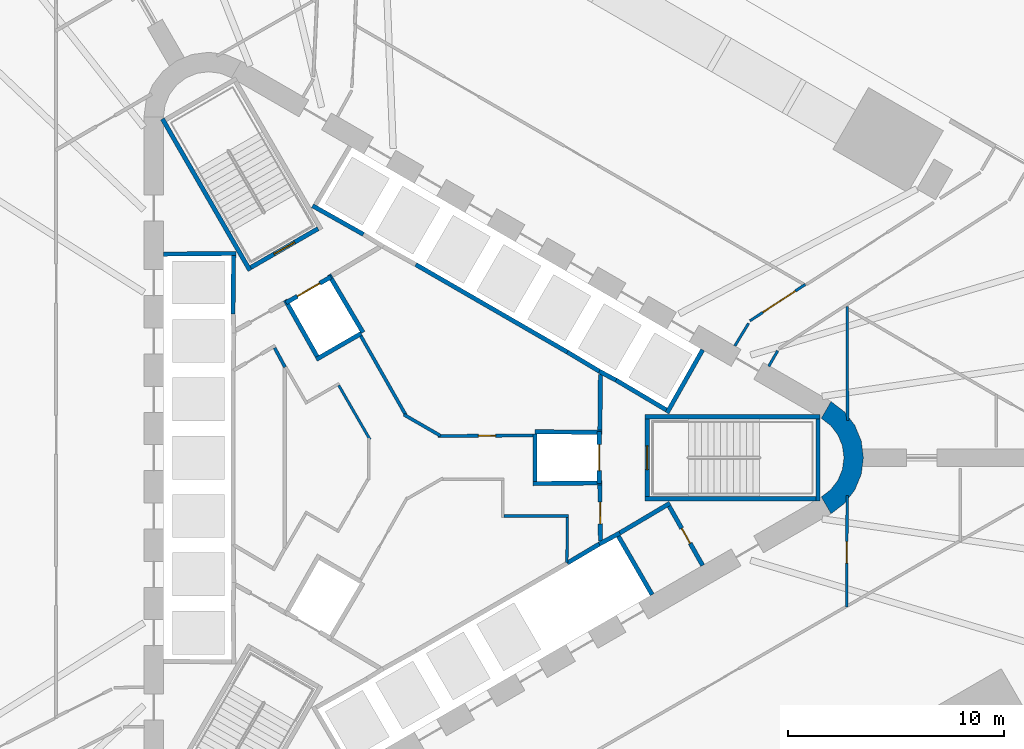
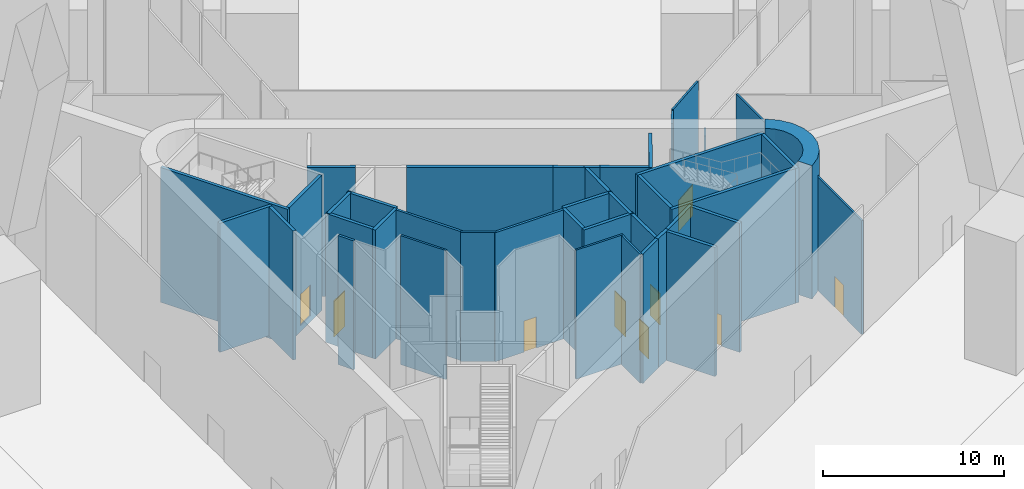
# One storey, part 16 of 22: 42 walls, 9 doors, 9 openings.
"""IFC4 building model written with IfcOpenShell, lengths in metres."""

from ifc_helpers import new_model, si_unit, direction, frame, frame_2d, origin, place, context, subcontext, project, spatial, polyline, rectangle, outline, extrude, material, layer, layer_set, type_object, element, fill, save


model = new_model("IFC4")

# Units and contexts
model_context = context("Model", 3, precision=1e-05, world=origin(), true_north=direction((0.0, 1.0)))
body_context = subcontext(model_context, "Body", "Model", "MODEL_VIEW")
ifc_project = project(units=[si_unit("LENGTHUNIT", "METRE"), si_unit("AREAUNIT", "SQUARE_METRE"), si_unit("VOLUMEUNIT", "CUBIC_METRE"), si_unit("PLANEANGLEUNIT", "RADIAN"), si_unit("MASSUNIT", "GRAM", prefix="KILO")], contexts=[model_context])

# Site, building, storey
site_placement = place(None, origin())
site = spatial("IfcSite", under=ifc_project, at=site_placement, CompositionType="ELEMENT")
building_placement = place(site_placement, origin())
building = spatial("IfcBuilding", under=site, at=building_placement, Name="Tanit Gate Tower", CompositionType="ELEMENT")
storey_placement = place(building_placement, origin())
storey = spatial("IfcBuildingStorey", under=building, at=storey_placement, Name="L00", CompositionType="ELEMENT", Elevation=0.0)

# Walls
ifc_material_1 = material(Name="Concrete C60/75", Category="concrete")
ifc_layer_1 = layer(ifc_material_1, 0.89990234375)
ifc_layer_set_1 = layer_set([ifc_layer_1], Name="CORE WALL 900 C60/75")
wall_type_1 = type_object("IfcWallType", Name="CORE WALL 900 C60/75", PredefinedType="SHEAR", material=ifc_layer_set_1)
wall_1_placement = place(storey_placement, origin())
element("IfcWall", 1, at=wall_1_placement, inside=storey, type_object=wall_type_1, Name="CORE WALL CORNER", PredefinedType="SHEAR", context=body_context, shape_type="SweptSolid", body=[
    extrude(outline(polyline([(19.699951171875, -2.59814453125), (20.3212890625, -2.121337890625), (20.798095703125, -1.5), (21.097900390625, -0.776611328125), (21.199951171875, 0.0), (21.097900390625, 0.776611328125), (20.798095703125, 1.5), (20.3212890625, 2.121337890625), (19.699951171875, 2.59814453125), (19.25, 1.818603515625), (19.684814453125, 1.48486328125), (20.018798828125, 1.050048828125), (20.228515625, 0.54345703125), (20.300048828125, 0.0), (20.228515625, -0.54345703125), (20.018798828125, -1.050048828125), (19.684814453125, -1.48486328125), (19.25, -1.818603515625), (19.699951171875, -2.59814453125)])), origin(), (0.0, 0.0, 1.0), 9.0),
])
ifc_material_2 = material(Name="Fire-rated gypsum board partition")
ifc_layer_2 = layer(ifc_material_2, 0.199951171875)
ifc_layer_set_2 = layer_set([ifc_layer_2], Name="INT-WALL-COMPARTMENT")
wall_type_2 = type_object("IfcWallType", Name="INT-WALL-COMPARTMENT", PredefinedType="PARTITIONING", material=ifc_layer_set_2)
wall_2_placement = place(storey_placement, frame((12.244873046875, -2.10888671875, 0.0), z_axis=(0.0, 0.0, 1.0), x_axis=(-0.860414880418, -0.509594185166, 0.0)))
element("IfcWall", 2, at=wall_2_placement, inside=storey, type_object=wall_type_2, Name="Wall Compartment W057", PredefinedType="PARTITIONING", context=body_context, shape_type="SweptSolid", body=[
    extrude(rectangle(XDim=2.7001953125, YDim=0.199951171875, at=frame_2d((1.35009765625, 0.0))), origin(), (0.0, 0.0, 1.0), 8.699951171875),
])

# Wall, opening, door
wall_3_placement = place(storey_placement, frame((13.758056640625, -4.989501953125, 0.0), z_axis=(0.0, 0.0, 1.0), x_axis=(-0.491993409184, 0.87059892334, 0.0)))
wall_3 = element("IfcWall", 3, at=wall_3_placement, inside=storey, type_object=wall_type_2, Name="Wall Compartment W058", PredefinedType="PARTITIONING", context=body_context, shape_type="SweptSolid", body=[
    extrude(rectangle(XDim=3.150146484375, YDim=0.199951171875, at=frame_2d((1.5751953125, 0.0))), origin(), (0.0, 0.0, 1.0), 8.699951171875),
])
opening_1_placement = place(wall_3_placement, frame((1.175048828125, 0.0, 0.0)))
opening_1 = element("IfcOpeningElement", 4, at=opening_1_placement, cuts=wall_3, Name="Opening R08-00-14", PredefinedType="OPENING", context=body_context, shape_type="SweptSolid", body=[
    extrude(rectangle(XDim=0.800048828125, YDim=2.10009765625, at=frame_2d((0.39990234375, 1.050048828125))), frame((0.0, 0.10986328125, 0.0), z_axis=(0.0, -1.0, 0.0), x_axis=(1.0, 0.0, 0.0)), (0.0, 0.0, 1.0), 0.219970703125),
])
ifc_material_3 = material(Name="Timber door leaf", Category="wood")
door_type_1 = type_object("IfcDoorType", Name="INT-DOOR-RISER-800", OperationType="NOTDEFINED", PredefinedType="USERDEFINED", material=ifc_material_3)
door_1_placement = place(opening_1_placement, origin())
door_1 = element("IfcDoor", 5, at=door_1_placement, inside=storey, type_object=door_type_1, Name="Door R08-00-14", ObjectType="FIRE DOOR", OperationType="SINGLE_SWING_RIGHT", OverallHeight=2.10009765625, OverallWidth=0.800048828125, PredefinedType="USERDEFINED", context=body_context, shape_type="SweptSolid", body=[
    extrude(rectangle(XDim=0.800048828125, YDim=2.10009765625, at=frame_2d((0.39990234375, 1.050048828125))), frame((0.0, 0.02490234375, 0.0), z_axis=(0.0, -1.0, 0.0), x_axis=(1.0, 0.0, 0.0)), (0.0, 0.0, 1.0), 0.050048828125),
])
fill(opening_1, door_1)

# Wall
wall_4_placement = place(storey_placement, frame((9.0009765625, 1.27001953125, 0.0), z_axis=(0.0, 0.0, 1.0), x_axis=(0.010784614026, 0.999941844359, 0.0)))
element("IfcWall", 6, at=wall_4_placement, inside=storey, type_object=wall_type_2, Name="Wall Compartment W059", PredefinedType="PARTITIONING", context=body_context, shape_type="SweptSolid", body=[
    extrude(rectangle(XDim=2.580810546875, YDim=0.199951171875, at=frame_2d((1.29052734375, 0.0))), origin(), (0.0, 0.0, 1.0), 8.699951171875),
])

# Wall, opening, door
wall_5_placement = place(storey_placement, frame((9.02880859375, -3.850830078125, 0.0), z_axis=(0.0, 0.0, 1.0), x_axis=(-0.010783593937, 0.99994185536, 0.0)))
wall_5 = element("IfcWall", 7, at=wall_5_placement, inside=storey, type_object=wall_type_2, Name="Wall Compartment W060", PredefinedType="PARTITIONING", context=body_context, shape_type="SweptSolid", body=[
    extrude(rectangle(XDim=2.5810546875, YDim=0.199951171875, at=frame_2d((1.29052734375, 0.0))), origin(), (0.0, 0.0, 1.0), 8.699951171875),
])
opening_2_placement = place(wall_5_placement, frame((0.79052734375, 0.0, 0.0)))
opening_2 = element("IfcOpeningElement", 8, at=opening_2_placement, cuts=wall_5, Name="Opening F10-00-02", PredefinedType="OPENING", context=body_context, shape_type="SweptSolid", body=[
    extrude(rectangle(XDim=1.0, YDim=2.10009765625, at=frame_2d((0.5, 1.050048828125))), frame((0.0, 0.10986328125, 0.0), z_axis=(0.0, -1.0, 0.0), x_axis=(1.0, 0.0, 0.0)), (0.0, 0.0, 1.0), 0.219970703125),
])
ifc_material_4 = material(Name="Fire-rated steel door leaf", Category="steel")
door_type_2 = type_object("IfcDoorType", Name="INT-DOOR-FIRE-1000", OperationType="NOTDEFINED", PredefinedType="USERDEFINED", material=ifc_material_4)
door_2_placement = place(opening_2_placement, origin())
door_2 = element("IfcDoor", 9, at=door_2_placement, inside=storey, type_object=door_type_2, Name="Door F10-00-02", ObjectType="FIRE DOOR", OperationType="SINGLE_SWING_RIGHT", OverallHeight=2.10009765625, OverallWidth=1.0, PredefinedType="USERDEFINED", context=body_context, shape_type="SweptSolid", body=[
    extrude(rectangle(XDim=1.0, YDim=2.10009765625, at=frame_2d((0.5, 1.050048828125))), frame((0.0, 0.02490234375, 0.0), z_axis=(0.0, -1.0, 0.0), x_axis=(1.0, 0.0, 0.0)), (0.0, 0.0, 1.0), 0.050048828125),
])
fill(opening_2, door_2)

# Walls
ifc_material_5 = material(Name="Gypsum board partition")
ifc_layer_3 = layer(ifc_material_5, 0.1201171875)
ifc_layer_set_3 = layer_set([ifc_layer_3], Name="INT-WALL-PARTITION")
wall_type_3 = type_object("IfcWallType", Name="INT-WALL-PARTITION", PredefinedType="PARTITIONING", material=ifc_layer_set_3)
wall_6_placement = place(storey_placement, frame((7.56005859375, -2.699951171875, 0.0), z_axis=(0.0, 0.0, 1.0), x_axis=(-1.0, 0.0, 0.0)))
element("IfcWall", 10, at=wall_6_placement, inside=storey, type_object=wall_type_3, Name="Wall Partition W072", PredefinedType="PARTITIONING", context=body_context, shape_type="SweptSolid", body=[
    extrude(rectangle(XDim=3.0, YDim=0.1201171875, at=frame_2d((1.5, 0.0))), origin(), (0.0, 0.0, 1.0), 8.699951171875),
])
wall_7_placement = place(storey_placement, frame((7.474609375, -4.864501953125, 0.0), z_axis=(0.0, 0.0, 1.0), x_axis=(0.011716133148, 0.999931363757, 0.0)))
element("IfcWall", 11, at=wall_7_placement, inside=storey, type_object=wall_type_3, Name="Wall Partition W073", PredefinedType="PARTITIONING", context=body_context, shape_type="SweptSolid", body=[
    extrude(rectangle(XDim=2.104736328125, YDim=0.1201171875, at=frame_2d((1.05224609375, 0.0))), origin(), (0.0, 0.0, 1.0), 8.699951171875),
])
wall_8_placement = place(storey_placement, frame((-1.63671875, 0.8349609375, 0.0), z_axis=(0.0, 0.0, 1.0), x_axis=(-0.499980071345, 0.866036909293, 0.0)))
element("IfcWall", 12, at=wall_8_placement, inside=storey, type_object=wall_type_3, Name="Wall Partition W081", PredefinedType="PARTITIONING", context=body_context, shape_type="SweptSolid", body=[
    extrude(rectangle(XDim=2.8984375, YDim=0.1201171875, at=frame_2d((1.44921875, 0.0))), origin(), (0.0, 0.0, 1.0), 8.699951171875),
])

# Wall, opening, door
wall_9_placement = place(storey_placement, frame((15.94580078125, 6.3310546875, 0.0), z_axis=(0.0, 0.0, 1.0), x_axis=(0.835422846106, 0.549607740306, 0.0)))
wall_9 = element("IfcWall", 13, at=wall_9_placement, inside=storey, type_object=wall_type_3, Name="Wall Partition W086", PredefinedType="PARTITIONING", context=body_context, shape_type="SweptSolid", body=[
    extrude(rectangle(XDim=3.07080078125, YDim=0.1201171875, at=frame_2d((1.535400390625, 0.0))), origin(), (0.0, 0.0, 1.0), 8.699951171875),
])
opening_3_placement = place(wall_9_placement, frame((0.71337890625, 0.0, 0.0)))
opening_3 = element("IfcOpeningElement", 14, at=opening_3_placement, cuts=wall_9, Name="Opening D18-00-17", PredefinedType="OPENING", context=body_context, shape_type="SweptSolid", body=[
    extrude(rectangle(XDim=1.800048828125, YDim=2.10009765625, at=frame_2d((0.89990234375, 1.050048828125))), frame((0.0, 0.070068359375, 0.0), z_axis=(0.0, -1.0, 0.0), x_axis=(1.0, 0.0, 0.0)), (0.0, 0.0, 1.0), 0.14013671875),
])
ifc_material_6 = material(Name="Timber door leaf", Category="wood")
door_type_3 = type_object("IfcDoorType", Name="INT-DOOR-PAIR-1800", OperationType="NOTDEFINED", PredefinedType="NOTDEFINED", material=ifc_material_6)
door_3_placement = place(opening_3_placement, origin())
door_3 = element("IfcDoor", 15, at=door_3_placement, inside=storey, type_object=door_type_3, Name="Door D18-00-17", OperationType="DOUBLE_DOOR_SINGLE_SWING", OverallHeight=2.10009765625, OverallWidth=1.800048828125, PredefinedType="NOTDEFINED", context=body_context, shape_type="SweptSolid", body=[
    extrude(rectangle(XDim=1.800048828125, YDim=2.10009765625, at=frame_2d((0.89990234375, 1.050048828125))), frame((0.0, 0.02490234375, 0.0), z_axis=(0.0, -1.0, 0.0), x_axis=(1.0, 0.0, 0.0)), (0.0, 0.0, 1.0), 0.050048828125),
])
fill(opening_3, door_3)

# Wall
wall_10_placement = place(storey_placement, frame((15.2470703125, 5.1689453125, 0.0), z_axis=(0.0, 0.0, 1.0), x_axis=(0.51893145636, 0.85481585362, 0.0)))
element("IfcWall", 16, at=wall_10_placement, inside=storey, type_object=wall_type_3, Name="Wall Partition W087", PredefinedType="PARTITIONING", context=body_context, shape_type="SweptSolid", body=[
    extrude(rectangle(XDim=1.228271484375, YDim=0.1201171875, at=frame_2d((0.6142578125, 0.0))), origin(), (0.0, 0.0, 1.0), 8.699951171875),
])

# Wall, opening, door
wall_11_placement = place(storey_placement, frame((20.420166015625, -6.91650390625, 0.0), z_axis=(0.0, 0.0, 1.0), x_axis=(0.005057124102, 0.999987212666, 0.0)))
wall_11 = element("IfcWall", 17, at=wall_11_placement, inside=storey, type_object=wall_type_3, Name="Wall Partition W091", PredefinedType="PARTITIONING", context=body_context, shape_type="SweptSolid", body=[
    extrude(rectangle(XDim=5.16552734375, YDim=0.1201171875, at=frame_2d((2.582763671875, 0.0))), origin(), (0.0, 0.0, 1.0), 7.669921875),
])
opening_4_placement = place(wall_11_placement, frame((2.032470703125, 0.0, 0.0)))
opening_4 = element("IfcOpeningElement", 18, at=opening_4_placement, cuts=wall_11, Name="Opening D10-00-33", PredefinedType="OPENING", context=body_context, shape_type="SweptSolid", body=[
    extrude(rectangle(XDim=1.0, YDim=2.10009765625, at=frame_2d((0.5, 1.050048828125))), frame((0.0, 0.070068359375, 0.0), z_axis=(0.0, -1.0, 0.0), x_axis=(1.0, 0.0, 0.0)), (0.0, 0.0, 1.0), 0.14013671875),
])
ifc_material_7 = material(Name="Timber door leaf", Category="wood")
door_type_4 = type_object("IfcDoorType", Name="INT-DOOR-SINGLE-1000", OperationType="NOTDEFINED", PredefinedType="NOTDEFINED", material=ifc_material_7)
door_4_placement = place(opening_4_placement, origin())
door_4 = element("IfcDoor", 19, at=door_4_placement, inside=storey, type_object=door_type_4, Name="Door D10-00-33", OperationType="SINGLE_SWING_LEFT", OverallHeight=2.10009765625, OverallWidth=1.0, PredefinedType="NOTDEFINED", context=body_context, shape_type="SweptSolid", body=[
    extrude(rectangle(XDim=1.0, YDim=2.10009765625, at=frame_2d((0.5, 1.050048828125))), frame((0.0, 0.02490234375, 0.0), z_axis=(0.0, -1.0, 0.0), x_axis=(1.0, 0.0, 0.0)), (0.0, 0.0, 1.0), 0.050048828125),
])
fill(opening_4, door_4)

# Walls
wall_12_placement = place(storey_placement, frame((20.44580078125, 7.00634765625, 0.0), z_axis=(0.0, 0.0, 1.0), x_axis=(0.003746504696, -0.999992981827, 0.0)))
element("IfcWall", 20, at=wall_12_placement, inside=storey, type_object=wall_type_3, Name="Wall Partition W102", PredefinedType="PARTITIONING", context=body_context, shape_type="SweptSolid", body=[
    extrude(rectangle(XDim=5.2783203125, YDim=0.1201171875, at=frame_2d((2.63916015625, 0.0))), origin(), (0.0, 0.0, 1.0), 7.780029296875),
])
wall_13_placement = place(storey_placement, frame((17.232421875, 4.947509765625, 0.0), z_axis=(0.0, 0.0, 1.0), x_axis=(-0.500120931396, -0.865955572752, 0.0)))
element("IfcWall", 21, at=wall_13_placement, inside=storey, type_object=wall_type_3, Name="Wall Partition W124", PredefinedType="PARTITIONING", context=body_context, shape_type="SweptSolid", body=[
    extrude(rectangle(XDim=0.830810546875, YDim=0.1201171875, at=frame_2d((0.41552734375, 0.0))), origin(), (0.0, 0.0, 1.0), 7.8798828125),
])

# Wall, opening, door
ifc_material_8 = material(Name="Fire-rated gypsum board partition")
ifc_layer_4 = layer(ifc_material_8, 0.14990234375)
ifc_layer_set_4 = layer_set([ifc_layer_4], Name="INT-WALL-RISER")
wall_type_4 = type_object("IfcWallType", Name="INT-WALL-RISER", PredefinedType="PLUMBINGWALL", material=ifc_layer_set_4)
wall_14_placement = place(storey_placement, frame((1.517578125, 0.9990234375, 0.0), z_axis=(0.0, 0.0, 1.0), x_axis=(0.999976903524, 0.006796500403, 0.0)))
wall_14 = element("IfcWall", 22, at=wall_14_placement, inside=storey, type_object=wall_type_4, Name="Wall Riser W065", PredefinedType="PLUMBINGWALL", context=body_context, shape_type="SweptSolid", body=[
    extrude(rectangle(XDim=4.38232421875, YDim=0.14990234375, at=frame_2d((2.191162109375, 0.0))), origin(), (0.0, 0.0, 1.0), 8.699951171875),
])
opening_5_placement = place(wall_14_placement, frame((1.855224609375, 0.0, 0.0)))
opening_5 = element("IfcOpeningElement", 23, at=opening_5_placement, cuts=wall_14, Name="Opening R08-00-10", PredefinedType="OPENING", context=body_context, shape_type="SweptSolid", body=[
    extrude(rectangle(XDim=0.800048828125, YDim=2.10009765625, at=frame_2d((0.39990234375, 1.050048828125))), frame((0.0, 0.0849609375, 0.0), z_axis=(0.0, -1.0, 0.0), x_axis=(1.0, 0.0, 0.0)), (0.0, 0.0, 1.0), 0.169921875),
])
door_5_placement = place(opening_5_placement, origin())
door_5 = element("IfcDoor", 24, at=door_5_placement, inside=storey, type_object=door_type_1, Name="Door R08-00-10", ObjectType="FIRE DOOR", OperationType="SINGLE_SWING_RIGHT", OverallHeight=2.10009765625, OverallWidth=0.800048828125, PredefinedType="USERDEFINED", context=body_context, shape_type="SweptSolid", body=[
    extrude(rectangle(XDim=0.800048828125, YDim=2.10009765625, at=frame_2d((0.39990234375, 1.050048828125))), frame((0.0, 0.02490234375, 0.0), z_axis=(0.0, -1.0, 0.0), x_axis=(1.0, 0.0, 0.0)), (0.0, 0.0, 1.0), 0.050048828125),
])
fill(opening_5, door_5)

# Walls
wall_15_placement = place(storey_placement, frame((-0.0673828125, 1.989013671875, 0.0), z_axis=(0.0, 0.0, 1.0), x_axis=(0.865981695925, -0.500075696594, 0.0)))
element("IfcWall", 25, at=wall_15_placement, inside=storey, type_object=wall_type_4, Name="Wall Riser W066", PredefinedType="PLUMBINGWALL", context=body_context, shape_type="SweptSolid", body=[
    extrude(rectangle(XDim=1.954345703125, YDim=0.14990234375, at=frame_2d((0.97705078125, 0.0))), origin(), (0.0, 0.0, 1.0), 8.699951171875),
])
wall_16_placement = place(storey_placement, frame((-2.05908203125, 5.6240234375, 0.0), z_axis=(0.0, 0.0, 1.0), x_axis=(0.494149180773, -0.869377125959, 0.0)))
element("IfcWall", 26, at=wall_16_placement, inside=storey, type_object=wall_type_4, Name="Wall Riser W067", PredefinedType="PLUMBINGWALL", context=body_context, shape_type="SweptSolid", body=[
    extrude(rectangle(XDim=4.231201171875, YDim=0.14990234375, at=frame_2d((2.11572265625, 0.0))), origin(), (0.0, 0.0, 1.0), 8.699951171875),
])
wall_17_placement = place(storey_placement, frame((-5.57080078125, 4.189697265625, 0.0), z_axis=(0.0, 0.0, 1.0), x_axis=(-0.476127658675, 0.879376172434, 0.0)))
element("IfcWall", 27, at=wall_17_placement, inside=storey, type_object=wall_type_4, Name="Wall Riser W078", PredefinedType="PLUMBINGWALL", context=body_context, shape_type="SweptSolid", body=[
    extrude(rectangle(XDim=1.01171875, YDim=0.14990234375, at=frame_2d((0.505859375, 0.0))), origin(), (0.0, 0.0, 1.0), 8.699951171875),
])
ifc_material_9 = material(Name="Gypsum shaft wall system")
ifc_layer_5 = layer(ifc_material_9, 0.199951171875)
ifc_layer_set_5 = layer_set([ifc_layer_5], Name="INT-WALL-SHAFT")
wall_type_5 = type_object("IfcWallType", Name="INT-WALL-SHAFT", PredefinedType="PLUMBINGWALL", material=ifc_layer_set_5)
wall_18_placement = place(storey_placement, frame((-11.199951171875, 9.419921875, 0.0), z_axis=(0.0, 0.0, 1.0), x_axis=(0.999957167047, 0.009255488683, 0.0)))
element("IfcWall", 28, at=wall_18_placement, inside=storey, type_object=wall_type_5, Name="Wall Shaft W001", PredefinedType="PLUMBINGWALL", context=body_context, shape_type="SweptSolid", body=[
    extrude(rectangle(XDim=3.35009765625, YDim=0.199951171875, at=frame_2d((1.675048828125, 0.0))), origin(), (0.0, 0.0, 1.0), 8.699951171875),
])
wall_19_placement = place(storey_placement, frame((-7.951171875, 9.35009765625, 0.0), z_axis=(0.0, 0.0, 1.0), x_axis=(-0.011120469654, -0.999938165666, 0.0)))
element("IfcWall", 29, at=wall_19_placement, inside=storey, type_object=wall_type_5, Name="Wall Shaft W002", PredefinedType="PLUMBINGWALL", context=body_context, shape_type="SweptSolid", body=[
    extrude(rectangle(XDim=2.700439453125, YDim=0.199951171875, at=frame_2d((1.35009765625, 0.0))), origin(), (0.0, 0.0, 1.0), 8.699951171875),
])
wall_20_placement = place(storey_placement, frame((7.497314453125, 4.885986328125, 0.0), z_axis=(0.0, 0.0, 1.0), x_axis=(-0.866030989016, 0.499990325971, 0.0)))
element("IfcWall", 30, at=wall_20_placement, inside=storey, type_object=wall_type_5, Name="Wall Shaft W003", PredefinedType="PLUMBINGWALL", context=body_context, shape_type="SweptSolid", body=[
    extrude(rectangle(XDim=8.099853515625, YDim=0.199951171875, at=frame_2d((4.0498046875, 0.0))), origin(), (0.0, 0.0, 1.0), 8.699951171875),
])
wall_21_placement = place(storey_placement, frame((12.10986328125, 2.07275390625, 0.0), z_axis=(0.0, 0.0, 1.0), x_axis=(0.49196600604, 0.870614408852, 0.0)))
element("IfcWall", 31, at=wall_21_placement, inside=storey, type_object=wall_type_5, Name="Wall Shaft W013", PredefinedType="PLUMBINGWALL", context=body_context, shape_type="SweptSolid", body=[
    extrude(rectangle(XDim=3.35009765625, YDim=0.199951171875, at=frame_2d((1.675048828125, 0.0))), origin(), (0.0, 0.0, 1.0), 8.699951171875),
])
wall_22_placement = place(storey_placement, frame((12.072998046875, 2.2109375, 0.0), z_axis=(0.0, 0.0, 1.0), x_axis=(-0.860438357912, 0.509554542943, 0.0)))
element("IfcWall", 32, at=wall_22_placement, inside=storey, type_object=wall_type_5, Name="Wall Shaft W014", PredefinedType="PLUMBINGWALL", context=body_context, shape_type="SweptSolid", body=[
    extrude(rectangle(XDim=2.700439453125, YDim=0.199951171875, at=frame_2d((1.35009765625, 0.0))), origin(), (0.0, 0.0, 1.0), 8.699951171875),
])
wall_23_placement = place(storey_placement, frame((9.74755859375, 3.583251953125, 0.0), z_axis=(0.0, 0.0, 1.0), x_axis=(-0.880917147855, 0.473270513147, 0.0)))
element("IfcWall", 33, at=wall_23_placement, inside=storey, type_object=wall_type_5, Name="Wall Shaft W015", PredefinedType="PLUMBINGWALL", context=body_context, shape_type="SweptSolid", body=[
    extrude(rectangle(XDim=0.8779296875, YDim=0.199951171875, at=frame_2d((0.43896484375, 0.0))), origin(), (0.0, 0.0, 1.0), 8.699951171875),
])
wall_24_placement = place(storey_placement, frame((9.0791015625, 3.93701171875, 0.0), z_axis=(0.0, 0.0, 1.0), x_axis=(-0.857516281273, 0.51445682749, 0.0)))
element("IfcWall", 34, at=wall_24_placement, inside=storey, type_object=wall_type_5, Name="Wall Shaft W016", PredefinedType="PLUMBINGWALL", context=body_context, shape_type="SweptSolid", body=[
    extrude(rectangle(XDim=1.8447265625, YDim=0.199951171875, at=frame_2d((0.92236328125, 0.0))), origin(), (0.0, 0.0, 1.0), 8.699951171875),
])
wall_25_placement = place(storey_placement, frame((-4.296142578125, 11.658935546875, 0.0), z_axis=(0.0, 0.0, 1.0), x_axis=(0.871534483978, -0.490334215854, 0.0)))
element("IfcWall", 35, at=wall_25_placement, inside=storey, type_object=wall_type_5, Name="Wall Shaft W021", PredefinedType="PLUMBINGWALL", context=body_context, shape_type="SweptSolid", body=[
    extrude(rectangle(XDim=2.7001953125, YDim=0.199951171875, at=frame_2d((1.35009765625, 0.0))), origin(), (0.0, 0.0, 1.0), 8.699951171875),
])
wall_26_placement = place(storey_placement, frame((9.794677734375, -3.52490234375, 0.0), z_axis=(0.0, 0.0, 1.0), x_axis=(0.499984717929, -0.866034226713, 0.0)))
element("IfcWall", 36, at=wall_26_placement, inside=storey, type_object=wall_type_5, Name="Wall Shaft W024", PredefinedType="PLUMBINGWALL", context=body_context, shape_type="SweptSolid", body=[
    extrude(rectangle(XDim=3.25, YDim=0.199951171875, at=frame_2d((1.625, 0.0))), origin(), (0.0, 0.0, 1.0), 8.699951171875),
])
wall_27_placement = place(storey_placement, frame((8.97412109375, -3.998779296875, 0.0), z_axis=(0.0, 0.0, 1.0), x_axis=(0.880907015104, 0.473289373154, 0.0)))
element("IfcWall", 37, at=wall_27_placement, inside=storey, type_object=wall_type_5, Name="Wall Shaft W025", PredefinedType="PLUMBINGWALL", context=body_context, shape_type="SweptSolid", body=[
    extrude(rectangle(XDim=1.078125, YDim=0.199951171875, at=frame_2d((0.5390625, 0.0))), origin(), (0.0, 0.0, 1.0), 8.699951171875),
])
wall_28_placement = place(storey_placement, frame((7.4931640625, -4.87841796875, 0.0), z_axis=(0.0, 0.0, 1.0), x_axis=(0.859981807212, 0.510324691999, 0.0)))
element("IfcWall", 38, at=wall_28_placement, inside=storey, type_object=wall_type_5, Name="Wall Shaft W026", PredefinedType="PLUMBINGWALL", context=body_context, shape_type="SweptSolid", body=[
    extrude(rectangle(XDim=1.8447265625, YDim=0.199951171875, at=frame_2d((0.92236328125, 0.0))), origin(), (0.0, 0.0, 1.0), 8.699951171875),
])

# Wall, opening, door
wall_29_placement = place(storey_placement, frame((8.969970703125, 1.199951171875, 0.0), z_axis=(0.0, 0.0, 1.0), x_axis=(0.0, -1.0, 0.0)))
wall_29 = element("IfcWall", 39, at=wall_29_placement, inside=storey, type_object=wall_type_5, Name="Wall Shaft W037", PredefinedType="PLUMBINGWALL", context=body_context, shape_type="SweptSolid", body=[
    extrude(rectangle(XDim=2.39990234375, YDim=0.199951171875, at=frame_2d((1.199951171875, 0.0))), origin(), (0.0, 0.0, 1.0), 8.699951171875),
])
opening_6_placement = place(wall_29_placement, frame((0.60009765625, 0.0, 0.0)))
opening_6 = element("IfcOpeningElement", 40, at=opening_6_placement, cuts=wall_29, Name="Opening LDFL1-L00", PredefinedType="OPENING", context=body_context, shape_type="SweptSolid", body=[
    extrude(rectangle(XDim=1.199951171875, YDim=2.39990234375, at=frame_2d((0.60009765625, 1.199951171875))), frame((0.0, 0.10986328125, 0.0), z_axis=(0.0, -1.0, 0.0), x_axis=(1.0, 0.0, 0.0)), (0.0, 0.0, 1.0), 0.219970703125),
])
ifc_material_10 = material(Name="Stainless steel sliding door leaf", Category="steel")
door_type_5 = type_object("IfcDoorType", Name="INT-DOOR-LANDING-1200", OperationType="NOTDEFINED", PredefinedType="USERDEFINED", material=ifc_material_10)
door_6_placement = place(opening_6_placement, origin())
door_6 = element("IfcDoor", 41, at=door_6_placement, inside=storey, type_object=door_type_5, Name="Door LDFL1-L00", ObjectType="LANDING DOOR", OperationType="SLIDING_TO_LEFT", OverallHeight=2.39990234375, OverallWidth=1.199951171875, PredefinedType="USERDEFINED", context=body_context, shape_type="SweptSolid", body=[
    extrude(rectangle(XDim=1.199951171875, YDim=2.39990234375, at=frame_2d((0.60009765625, 1.199951171875))), frame((0.0, 0.02490234375, 0.0), z_axis=(0.0, -1.0, 0.0), x_axis=(1.0, 0.0, 0.0)), (0.0, 0.0, 1.0), 0.050048828125),
])
fill(opening_6, door_6)

# Walls
wall_30_placement = place(storey_placement, frame((6.0, 1.199951171875, 0.0), z_axis=(0.0, 0.0, 1.0), x_axis=(0.999949988, -0.010001074852, 0.0)))
element("IfcWall", 42, at=wall_30_placement, inside=storey, type_object=wall_type_5, Name="Wall Shaft W038", PredefinedType="PLUMBINGWALL", context=body_context, shape_type="SweptSolid", body=[
    extrude(rectangle(XDim=3.100341796875, YDim=0.199951171875, at=frame_2d((1.55029296875, 0.0))), origin(), (0.0, 0.0, 1.0), 8.699951171875),
])
wall_31_placement = place(storey_placement, frame((5.89990234375, -1.200927734375, 0.0), z_axis=(0.0, 0.0, 1.0), x_axis=(0.999950064753, 0.009993397809, 0.0)))
element("IfcWall", 43, at=wall_31_placement, inside=storey, type_object=wall_type_5, Name="Wall Shaft W039", PredefinedType="PLUMBINGWALL", context=body_context, shape_type="SweptSolid", body=[
    extrude(rectangle(XDim=3.200439453125, YDim=0.199951171875, at=frame_2d((1.60009765625, 0.0))), origin(), (0.0, 0.0, 1.0), 8.699951171875),
])
wall_32_placement = place(storey_placement, frame((6.0, -1.10009765625, 0.0), z_axis=(0.0, 0.0, 1.0), x_axis=(0.0, 1.0, 0.0)))
element("IfcWall", 44, at=wall_32_placement, inside=storey, type_object=wall_type_5, Name="Wall Shaft W040", PredefinedType="PLUMBINGWALL", context=body_context, shape_type="SweptSolid", body=[
    extrude(rectangle(XDim=2.20458984375, YDim=0.199951171875, at=frame_2d((1.102294921875, 0.0))), origin(), (0.0, 0.0, 1.0), 8.699951171875),
])

# Wall, opening, door
wall_33_placement = place(storey_placement, frame((-5.524169921875, 7.168212890625, 0.0), z_axis=(0.0, 0.0, 1.0), x_axis=(0.866024647952, 0.500001309137, 0.0)))
wall_33 = element("IfcWall", 45, at=wall_33_placement, inside=storey, type_object=wall_type_5, Name="Wall Shaft W045", PredefinedType="PLUMBINGWALL", context=body_context, shape_type="SweptSolid", body=[
    extrude(rectangle(XDim=2.39990234375, YDim=0.199951171875, at=frame_2d((1.199951171875, 0.0))), origin(), (0.0, 0.0, 1.0), 8.699951171875),
])
opening_7_placement = place(wall_33_placement, frame((0.60009765625, 0.0, 0.0)))
opening_7 = element("IfcOpeningElement", 46, at=opening_7_placement, cuts=wall_33, Name="Opening LDFL2-L00", PredefinedType="OPENING", context=body_context, shape_type="SweptSolid", body=[
    extrude(rectangle(XDim=1.199951171875, YDim=2.39990234375, at=frame_2d((0.60009765625, 1.199951171875))), frame((0.0, 0.10986328125, 0.0), z_axis=(0.0, -1.0, 0.0), x_axis=(1.0, 0.0, 0.0)), (0.0, 0.0, 1.0), 0.219970703125),
])
door_7_placement = place(opening_7_placement, origin())
door_7 = element("IfcDoor", 47, at=door_7_placement, inside=storey, type_object=door_type_5, Name="Door LDFL2-L00", ObjectType="LANDING DOOR", OperationType="SLIDING_TO_LEFT", OverallHeight=2.39990234375, OverallWidth=1.199951171875, PredefinedType="USERDEFINED", context=body_context, shape_type="SweptSolid", body=[
    extrude(rectangle(XDim=1.199951171875, YDim=2.39990234375, at=frame_2d((0.60009765625, 1.199951171875))), frame((0.0, 0.02490234375, 0.0), z_axis=(0.0, -1.0, 0.0), x_axis=(1.0, 0.0, 0.0)), (0.0, 0.0, 1.0), 0.050048828125),
])
fill(opening_7, door_7)

# Walls
wall_34_placement = place(storey_placement, frame((-3.53759765625, 8.46533203125, 0.0), z_axis=(0.0, 0.0, 1.0), x_axis=(0.508647062354, -0.860975125052, 0.0)))
element("IfcWall", 48, at=wall_34_placement, inside=storey, type_object=wall_type_5, Name="Wall Shaft W046", PredefinedType="PLUMBINGWALL", context=body_context, shape_type="SweptSolid", body=[
    extrude(rectangle(XDim=3.10009765625, YDim=0.199951171875, at=frame_2d((1.550048828125, 0.0))), origin(), (0.0, 0.0, 1.0), 8.699951171875),
])
wall_35_placement = place(storey_placement, frame((-2.04345703125, 5.748291015625, 0.0), z_axis=(0.0, 0.0, 1.0), x_axis=(-0.866035096217, -0.499983211839, 0.0)))
element("IfcWall", 49, at=wall_35_placement, inside=storey, type_object=wall_type_5, Name="Wall Shaft W047", PredefinedType="PLUMBINGWALL", context=body_context, shape_type="SweptSolid", body=[
    extrude(rectangle(XDim=2.404296875, YDim=0.199951171875, at=frame_2d((1.2021484375, 0.0))), origin(), (0.0, 0.0, 1.0), 8.699951171875),
])
wall_36_placement = place(storey_placement, frame((-5.5625, 7.29638671875, 0.0), z_axis=(0.0, 0.0, 1.0), x_axis=(0.49134651263, -0.870964180966, 0.0)))
element("IfcWall", 50, at=wall_36_placement, inside=storey, type_object=wall_type_5, Name="Wall Shaft W048", PredefinedType="PLUMBINGWALL", context=body_context, shape_type="SweptSolid", body=[
    extrude(rectangle(XDim=3.000244140625, YDim=0.199951171875, at=frame_2d((1.5, 0.0))), origin(), (0.0, 0.0, 1.0), 8.699951171875),
])
ifc_material_11 = material(Name="Concrete C40/50", Category="concrete")
ifc_layer_6 = layer(ifc_material_11, 0.199951171875)
ifc_layer_set_6 = layer_set([ifc_layer_6], Name="INT-WALL-STAIR")
wall_type_6 = type_object("IfcWallType", Name="INT-WALL-STAIR", PredefinedType="SHEAR", material=ifc_layer_set_6)
wall_37_placement = place(storey_placement, frame((19.199951171875, 1.89990234375, -0.39990234375), z_axis=(0.0, 0.0, 1.0), x_axis=(-1.0, 0.0, 0.0)))
element("IfcWall", 51, at=wall_37_placement, inside=storey, type_object=wall_type_6, Name="Wall Stair W033", PredefinedType="SHEAR", context=body_context, shape_type="SweptSolid", body=[
    extrude(rectangle(XDim=8.099853515625, YDim=0.199951171875, at=frame_2d((4.0498046875, 0.0))), origin(), (0.0, 0.0, 1.0), 9.099853515625),
])
wall_38_placement = place(storey_placement, frame((19.10009765625, -2.0, -0.39990234375), z_axis=(0.0, 0.0, 1.0), x_axis=(0.0, 1.0, 0.0)))
element("IfcWall", 52, at=wall_38_placement, inside=storey, type_object=wall_type_6, Name="Wall Stair W034", PredefinedType="SHEAR", context=body_context, shape_type="SweptSolid", body=[
    extrude(rectangle(XDim=3.800048828125, YDim=0.199951171875, at=frame_2d((1.89990234375, 0.0))), origin(), (0.0, 0.0, 1.0), 9.099853515625),
])
wall_39_placement = place(storey_placement, frame((11.10009765625, -1.89990234375, -0.39990234375), z_axis=(0.0, 0.0, 1.0), x_axis=(1.0, 0.0, 0.0)))
element("IfcWall", 53, at=wall_39_placement, inside=storey, type_object=wall_type_6, Name="Wall Stair W035", PredefinedType="SHEAR", context=body_context, shape_type="SweptSolid", body=[
    extrude(rectangle(XDim=7.89990234375, YDim=0.199951171875, at=frame_2d((3.949951171875, 0.0))), origin(), (0.0, 0.0, 1.0), 9.099853515625),
])

# Wall, opening, door
wall_40_placement = place(storey_placement, frame((11.199951171875, -1.800048828125, -0.39990234375), z_axis=(0.0, 0.0, 1.0), x_axis=(0.0, 1.0, 0.0)))
wall_40 = element("IfcWall", 54, at=wall_40_placement, inside=storey, type_object=wall_type_6, Name="Wall Stair W036", PredefinedType="SHEAR", context=body_context, shape_type="SweptSolid", body=[
    extrude(rectangle(XDim=3.60009765625, YDim=0.199951171875, at=frame_2d((1.800048828125, 0.0))), origin(), (0.0, 0.0, 1.0), 9.099853515625),
])
opening_8_placement = place(wall_40_placement, frame((1.25, 0.0, 0.39990234375)))
opening_8 = element("IfcOpeningElement", 55, at=opening_8_placement, cuts=wall_40, Name="Opening S11-00-01", PredefinedType="OPENING", context=body_context, shape_type="SweptSolid", body=[
    extrude(rectangle(XDim=1.10009765625, YDim=2.10009765625, at=frame_2d((0.550048828125, 1.050048828125))), frame((0.0, 0.10986328125, 0.0), z_axis=(0.0, -1.0, 0.0), x_axis=(1.0, 0.0, 0.0)), (0.0, 0.0, 1.0), 0.219970703125),
])
ifc_material_12 = material(Name="Timber door leaf", Category="wood")
door_type_6 = type_object("IfcDoorType", Name="INT-DOOR-STAIR-1100", OperationType="NOTDEFINED", PredefinedType="USERDEFINED", material=ifc_material_12)
door_8_placement = place(opening_8_placement, origin())
door_8 = element("IfcDoor", 56, at=door_8_placement, inside=storey, type_object=door_type_6, Name="Door S11-00-01", ObjectType="FIRE DOOR", OperationType="SINGLE_SWING_RIGHT", OverallHeight=2.10009765625, OverallWidth=1.10009765625, PredefinedType="USERDEFINED", context=body_context, shape_type="SweptSolid", body=[
    extrude(rectangle(XDim=1.10009765625, YDim=2.10009765625, at=frame_2d((0.550048828125, 1.050048828125))), frame((0.0, 0.02490234375, 0.0), z_axis=(0.0, -1.0, 0.0), x_axis=(1.0, 0.0, 0.0)), (0.0, 0.0, 1.0), 0.050048828125),
])
fill(opening_8, door_8)

# Wall
wall_41_placement = place(storey_placement, frame((-11.245361328125, 15.677734375, -0.39990234375), z_axis=(0.0, 0.0, 1.0), x_axis=(0.499977274689, -0.866038523851, 0.0)))
element("IfcWall", 57, at=wall_41_placement, inside=storey, type_object=wall_type_6, Name="Wall Stair W041", PredefinedType="SHEAR", context=body_context, shape_type="SweptSolid", body=[
    extrude(rectangle(XDim=8.10009765625, YDim=0.199951171875, at=frame_2d((4.050048828125, 0.0))), origin(), (0.0, 0.0, 1.0), 9.099853515625),
])

# Wall, opening, door
wall_42_placement = place(storey_placement, frame((-7.158935546875, 8.799560546875, -0.39990234375), z_axis=(0.0, 0.0, 1.0), x_axis=(0.866047807691, 0.499961193289, 0.0)))
wall_42 = element("IfcWall", 58, at=wall_42_placement, inside=storey, type_object=wall_type_6, Name="Wall Stair W044", PredefinedType="SHEAR", context=body_context, shape_type="SweptSolid", body=[
    extrude(rectangle(XDim=3.599853515625, YDim=0.199951171875, at=frame_2d((1.7998046875, 0.0))), origin(), (0.0, 0.0, 1.0), 9.099853515625),
])
opening_9_placement = place(wall_42_placement, frame((1.25, 0.0, 0.39990234375)))
opening_9 = element("IfcOpeningElement", 59, at=opening_9_placement, cuts=wall_42, Name="Opening S11-00-04", PredefinedType="OPENING", context=body_context, shape_type="SweptSolid", body=[
    extrude(rectangle(XDim=1.10009765625, YDim=2.10009765625, at=frame_2d((0.550048828125, 1.050048828125))), frame((0.0, 0.10986328125, 0.0), z_axis=(0.0, -1.0, 0.0), x_axis=(1.0, 0.0, 0.0)), (0.0, 0.0, 1.0), 0.219970703125),
])
door_9_placement = place(opening_9_placement, origin())
door_9 = element("IfcDoor", 60, at=door_9_placement, inside=storey, type_object=door_type_6, Name="Door S11-00-04", ObjectType="FIRE DOOR", OperationType="SINGLE_SWING_LEFT", OverallHeight=2.10009765625, OverallWidth=1.10009765625, PredefinedType="USERDEFINED", context=body_context, shape_type="SweptSolid", body=[
    extrude(rectangle(XDim=1.10009765625, YDim=2.10009765625, at=frame_2d((0.550048828125, 1.050048828125))), frame((0.0, 0.02490234375, 0.0), z_axis=(0.0, -1.0, 0.0), x_axis=(1.0, 0.0, 0.0)), (0.0, 0.0, 1.0), 0.050048828125),
])
fill(opening_9, door_9)

save(model, "model.ifc")
